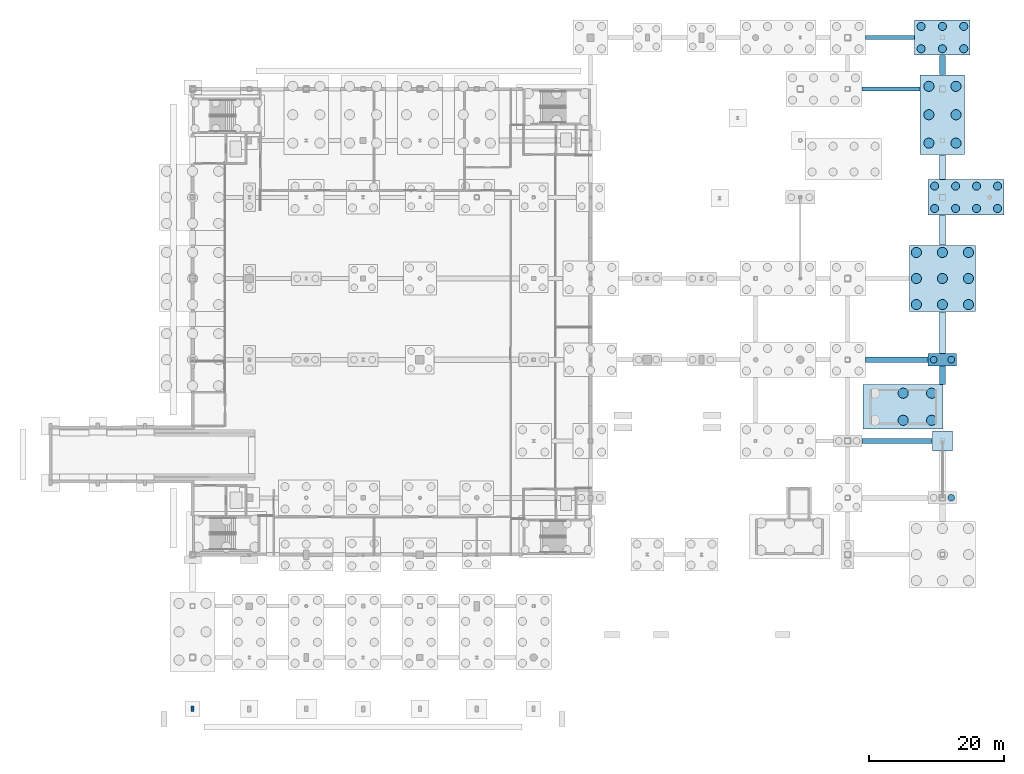
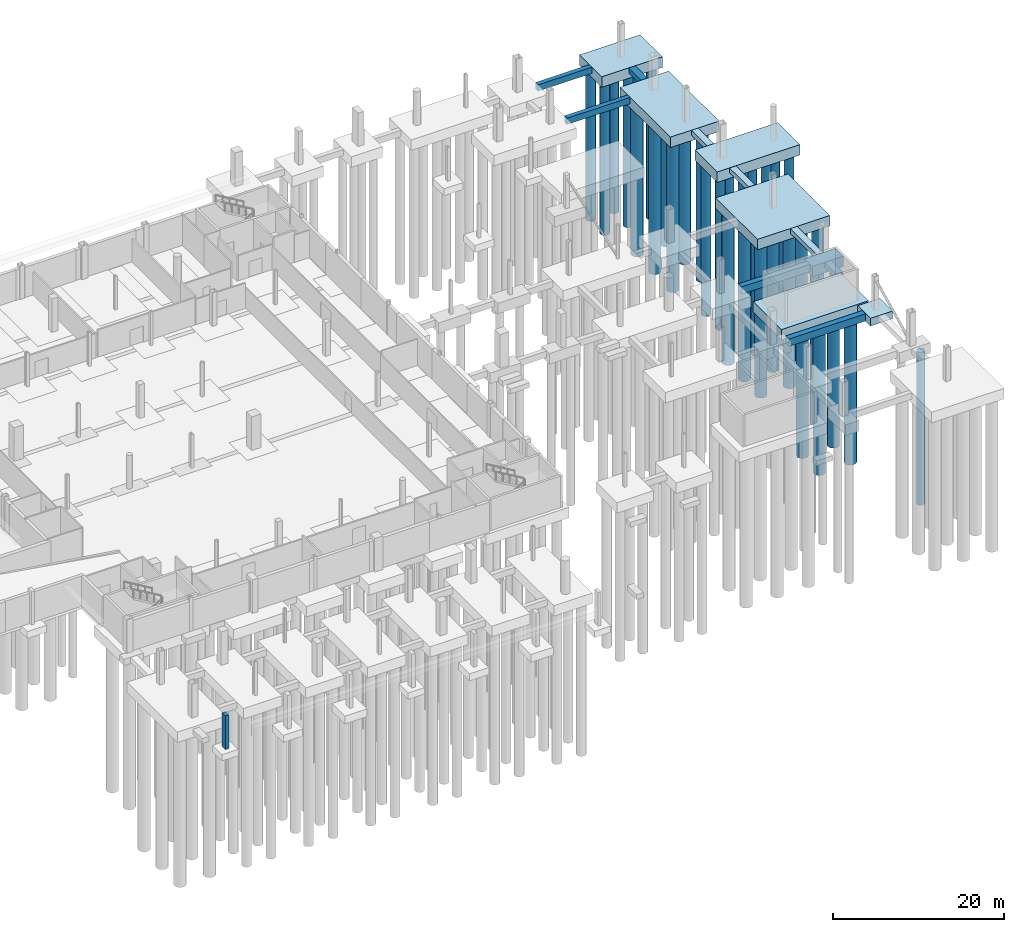
# One storey, part 5 of 34: 36 piles, 16 footings, 1 column.
"""IFC4 building model written with IfcOpenShell, lengths in metres."""

from ifc_helpers import new_model, si_unit, direction, frame, origin, origin_2d, place, context, subcontext, project, spatial, rectangle, circle, extrude, material, material_profile, profile_set, type_object, element, save


model = new_model("IFC4")

# Units and contexts
model_context = context("Model", 3, precision=1e-05, world=origin(), true_north=direction((0.0, 1.0)))
body_context = subcontext(model_context, "Body", "Model", "MODEL_VIEW")
ifc_project = project(units=[si_unit("LENGTHUNIT", "METRE"), si_unit("AREAUNIT", "SQUARE_METRE"), si_unit("VOLUMEUNIT", "CUBIC_METRE"), si_unit("PLANEANGLEUNIT", "RADIAN"), si_unit("MASSUNIT", "GRAM", prefix="KILO")], contexts=[model_context])

# Site, building, storey
site_placement = place(None, origin())
site = spatial("IfcSite", under=ifc_project, at=site_placement, CompositionType="ELEMENT")
building_placement = place(site_placement, origin())
building = spatial("IfcBuilding", under=site, at=building_placement, Name="Larkvane Passage Sports Hall", CompositionType="ELEMENT")
storey_placement = place(building_placement, frame((0.0, 0.0, -4.800048828125)))
storey = spatial("IfcBuildingStorey", under=building, at=storey_placement, Name="B01", CompositionType="ELEMENT", Elevation=-4.800048828125)

# Footings
ifc_material = material(Name="Concrete C40/50", Category="concrete")
footing_type_1 = type_object("IfcFootingType", Name="CAP-2P-320x180", PredefinedType="PILE_CAP", material=ifc_material)
footing_1_placement = place(storey_placement, frame((145.60009765625, 51.60009765625, -1.5), z_axis=(0.0, 0.0, 1.0), x_axis=(1.0, 0.0, 0.0)))
element("IfcFooting", 1, at=footing_1_placement, inside=storey, type_object=footing_type_1, Name="Pile cap FDN5-CAP-19-G", PredefinedType="PILE_CAP", context=body_context, shape_type="SweptSolid", body=[
    extrude(rectangle(XDim=4.199951171875, YDim=1.800048828125, at=origin_2d()), origin(), (0.0, 0.0, 1.0), 1.5),
])
footing_type_2 = type_object("IfcFootingType", Name="CAP-6P-640x440", PredefinedType="PILE_CAP", material=ifc_material)
footing_2_placement = place(storey_placement, frame((145.60009765625, 99.199951171875, -1.5), z_axis=(0.0, 0.0, 1.0), x_axis=(1.0, 0.0, 0.0)))
element("IfcFooting", 2, at=footing_2_placement, inside=storey, type_object=footing_type_2, Name="Pile cap FDN5-CAP-19-M", PredefinedType="PILE_CAP", context=body_context, shape_type="SweptSolid", body=[
    extrude(rectangle(XDim=8.199951171875, YDim=5.199951171875, at=origin_2d()), origin(), (0.0, 0.0, 1.0), 1.5),
])
footing_type_3 = type_object("IfcFootingType", Name="CAP-9P-720x720", PredefinedType="PILE_CAP", material=ifc_material)
footing_3_placement = place(storey_placement, frame((145.60009765625, 63.60009765625, -1.5), z_axis=(0.0, 0.0, 1.0), x_axis=(1.0, 0.0, 0.0)))
element("IfcFooting", 3, at=footing_3_placement, inside=storey, type_object=footing_type_3, Name="Pile cap FDN5-CAP-19-H", PredefinedType="PILE_CAP", context=body_context, shape_type="SweptSolid", body=[
    extrude(rectangle(XDim=9.800048828125, YDim=9.800048828125, at=origin_2d()), origin(), (0.0, 0.0, 1.0), 1.5),
])
footing_type_4 = type_object("IfcFootingType", Name="CAP-COMB-X-1120x520", PredefinedType="PILE_CAP", material=ifc_material)
footing_4_placement = place(storey_placement, frame((149.10009765625, 75.60009765625, -1.5), z_axis=(0.0, 0.0, 1.0), x_axis=(1.0, 0.0, 0.0)))
element("IfcFooting", 4, at=footing_4_placement, inside=storey, type_object=footing_type_4, Name="Pile cap FDN5-CAP-1920-J", PredefinedType="PILE_CAP", context=body_context, shape_type="SweptSolid", body=[
    extrude(rectangle(XDim=11.199951171875, YDim=5.199951171875, at=origin_2d()), origin(), (0.0, 0.0, 1.0), 1.5),
])
footing_type_5 = type_object("IfcFootingType", Name="CAP-COMB-Y-660x1180", PredefinedType="PILE_CAP", material=ifc_material)
footing_5_placement = place(storey_placement, frame((145.60009765625, 87.800048828125, -1.5), z_axis=(0.0, 0.0, 1.0), x_axis=(1.0, 0.0, 0.0)))
element("IfcFooting", 5, at=footing_5_placement, inside=storey, type_object=footing_type_5, Name="Pile cap FDN5-CAP-19-KL", PredefinedType="PILE_CAP", context=body_context, shape_type="SweptSolid", body=[
    extrude(rectangle(XDim=6.60009765625, YDim=11.800048828125, at=origin_2d()), origin(), (0.0, 0.0, 1.0), 1.5),
])
footing_type_6 = type_object("IfcFootingType", Name="CAP-CORE-1160x660", PredefinedType="PILE_CAP", material=ifc_material)
footing_6_placement = place(storey_placement, frame((139.800048828125, 44.64990234375, -1.5), z_axis=(0.0, 0.0, 1.0), x_axis=(1.0, 0.0, 0.0)))
element("IfcFooting", 6, at=footing_6_placement, inside=storey, type_object=footing_type_6, Name="Pile cap FDN5-CORE-C7", PredefinedType="PILE_CAP", context=body_context, shape_type="SweptSolid", body=[
    extrude(rectangle(XDim=11.800048828125, YDim=6.60009765625, at=origin_2d()), origin(), (0.0, 0.0, 1.0), 1.5),
])
footing_type_7 = type_object("IfcFootingType", Name="FBM-600x900", PredefinedType="FOOTING_BEAM", material=ifc_material)
footing_7_placement = place(storey_placement, frame((138.0, 91.60009765625, -0.89990234375), z_axis=(0.0, 0.0, 1.0), x_axis=(1.0, 0.0, 0.0)))
element("IfcFooting", 7, at=footing_7_placement, inside=storey, type_object=footing_type_7, Name="Ground tie beam L-067", PredefinedType="FOOTING_BEAM", context=body_context, shape_type="SweptSolid", body=[
    extrude(rectangle(XDim=8.56005859375, YDim=0.60009765625, at=origin_2d()), origin(), (0.0, 0.0, 1.0), 0.89990234375),
])
footing_8_placement = place(storey_placement, frame((137.85009765625, 99.199951171875, -0.89990234375), z_axis=(0.0, 0.0, 1.0), x_axis=(1.0, 0.0, 0.0)))
element("IfcFooting", 8, at=footing_8_placement, inside=storey, type_object=footing_type_7, Name="Ground tie beam M-072", PredefinedType="FOOTING_BEAM", context=body_context, shape_type="SweptSolid", body=[
    extrude(rectangle(XDim=7.260009765625, YDim=0.60009765625, at=origin_2d()), origin(), (0.0, 0.0, 1.0), 0.89990234375),
])
footing_type_8 = type_object("IfcFootingType", Name="FBM-750x1050", PredefinedType="FOOTING_BEAM", material=ifc_material)
footing_9_placement = place(storey_placement, frame((138.89990234375, 39.60009765625, -1.0498046875), z_axis=(0.0, 0.0, 1.0), x_axis=(1.0, 0.0, 0.0)))
element("IfcFooting", 9, at=footing_9_placement, inside=storey, type_object=footing_type_8, Name="Ground tie beam F-027", PredefinedType="FOOTING_BEAM", context=body_context, shape_type="SweptSolid", body=[
    extrude(rectangle(XDim=10.360107421875, YDim=0.75, at=origin_2d()), origin(), (0.0, 0.0, 1.0), 1.050048828125),
])
footing_10_placement = place(storey_placement, frame((138.85009765625, 51.60009765625, -1.0498046875), z_axis=(0.0, 0.0, 1.0), x_axis=(1.0, 0.0, 0.0)))
element("IfcFooting", 10, at=footing_10_placement, inside=storey, type_object=footing_type_8, Name="Ground tie beam G-038", PredefinedType="FOOTING_BEAM", context=body_context, shape_type="SweptSolid", body=[
    extrude(rectangle(XDim=9.260009765625, YDim=0.75, at=origin_2d()), origin(), (0.0, 0.0, 1.0), 1.050048828125),
])
footing_type_9 = type_object("IfcFootingType", Name="PAD-300x300x110", PredefinedType="PAD_FOOTING", material=ifc_material)
footing_11_placement = place(storey_placement, frame((145.60009765625, 39.60009765625, -1.10009765625), z_axis=(0.0, 0.0, 1.0), x_axis=(1.0, 0.0, 0.0)))
element("IfcFooting", 11, at=footing_11_placement, inside=storey, type_object=footing_type_9, Name="Column pad footing FDN5-CAP-19-F", PredefinedType="PAD_FOOTING", context=body_context, shape_type="SweptSolid", body=[
    extrude(rectangle(XDim=3.0, YDim=3.0, at=origin_2d()), origin(), (0.0, 0.0, 1.0), 1.10009765625),
])

# Piles
ifc_material_profile_1 = material_profile(ifc_material, circle(Radius=0.5, at=origin_2d()), Name="PILE-D1000")
ifc_profile_set_1 = profile_set([ifc_material_profile_1], Name="Concrete C40/50")
pile_type_1 = type_object("IfcPileType", Name="PIL-BORED-D1000", PredefinedType="BORED", material=ifc_profile_set_1)
for number, where, z_axis, x_axis, name in (
    (12, (146.89990234375, 31.199951171875, -1.349853515625), (0.0, 0.0, -1.0), (1.0, 0.0, 0.0), "Bored pile FDN5-CAP-19-E-P02"),
    (13, (144.300048828125, 51.60009765625, -1.349853515625), (0.0, 0.0, -1.0), (1.0, 0.0, 0.0), "Bored pile FDN5-CAP-19-G-P01"),
    (14, (146.89990234375, 51.60009765625, -1.349853515625), (0.0, 0.0, -1.0), (1.0, 0.0, 0.0), "Bored pile FDN5-CAP-19-G-P02"),
):
    element("IfcPile", number, at=place(storey_placement, frame(where, z_axis=z_axis, x_axis=x_axis)), inside=storey, type_object=pile_type_1, Name=name, PredefinedType="BORED", context=body_context, shape_type="SweptSolid", body=[
        extrude(circle(Radius=0.5, at=origin_2d()), origin(), (0.0, 0.0, 1.0), 21.85009765625),
    ])
ifc_material_profile_2 = material_profile(ifc_material, circle(Radius=0.60009765625, at=origin_2d()), Name="PILE-D1200")
ifc_profile_set_2 = profile_set([ifc_material_profile_2], Name="Concrete C40/50")
pile_type_2 = type_object("IfcPileType", Name="PIL-BORED-D1200", PredefinedType="BORED", material=ifc_profile_set_2)
for number, where, z_axis, x_axis, name in (
    (15, (144.449951171875, 73.949951171875, -1.349853515625), (0.0, 0.0, -1.0), (1.0, 0.0, 0.0), "Bored pile FDN5-CAP-1920-J-P01"),
    (16, (144.449951171875, 77.25, -1.349853515625), (0.0, 0.0, -1.0), (1.0, 0.0, 0.0), "Bored pile FDN5-CAP-1920-J-P02"),
    (17, (147.550048828125, 73.949951171875, -1.349853515625), (0.0, 0.0, -1.0), (1.0, 0.0, 0.0), "Bored pile FDN5-CAP-1920-J-P03"),
    (18, (147.550048828125, 77.25, -1.349853515625), (0.0, 0.0, -1.0), (1.0, 0.0, 0.0), "Bored pile FDN5-CAP-1920-J-P04"),
    (19, (150.64990234375, 73.949951171875, -1.349853515625), (0.0, 0.0, -1.0), (1.0, 0.0, 0.0), "Bored pile FDN5-CAP-1920-J-P05"),
    (20, (150.64990234375, 77.25, -1.349853515625), (0.0, 0.0, -1.0), (1.0, 0.0, 0.0), "Bored pile FDN5-CAP-1920-J-P06"),
    (21, (153.75, 73.949951171875, -1.349853515625), (0.0, 0.0, -1.0), (1.0, 0.0, 0.0), "Bored pile FDN5-CAP-1920-J-P07"),
    (22, (153.75, 77.25, -1.349853515625), (0.0, 0.0, -1.0), (1.0, 0.0, 0.0), "Bored pile FDN5-CAP-1920-J-P08"),
    (23, (142.449951171875, 97.550048828125, -1.349853515625), (0.0, 0.0, -1.0), (1.0, 0.0, 0.0), "Bored pile FDN5-CAP-19-M-P01"),
    (24, (145.60009765625, 97.550048828125, -1.349853515625), (0.0, 0.0, -1.0), (1.0, 0.0, 0.0), "Bored pile FDN5-CAP-19-M-P02"),
    (25, (148.75, 97.550048828125, -1.349853515625), (0.0, 0.0, -1.0), (1.0, 0.0, 0.0), "Bored pile FDN5-CAP-19-M-P03"),
    (26, (142.449951171875, 100.85009765625, -1.349853515625), (0.0, 0.0, -1.0), (1.0, 0.0, 0.0), "Bored pile FDN5-CAP-19-M-P04"),
    (27, (145.60009765625, 100.85009765625, -1.349853515625), (0.0, 0.0, -1.0), (1.0, 0.0, 0.0), "Bored pile FDN5-CAP-19-M-P05"),
    (28, (148.75, 100.85009765625, -1.349853515625), (0.0, 0.0, -1.0), (1.0, 0.0, 0.0), "Bored pile FDN5-CAP-19-M-P06"),
):
    element("IfcPile", number, at=place(storey_placement, frame(where, z_axis=z_axis, x_axis=x_axis)), inside=storey, type_object=pile_type_2, Name=name, PredefinedType="BORED", context=body_context, shape_type="SweptSolid", body=[
        extrude(circle(Radius=0.60009765625, at=origin_2d()), origin(), (0.0, 0.0, 1.0), 21.85009765625),
    ])
ifc_material_profile_3 = material_profile(ifc_material, circle(Radius=0.75, at=origin_2d()), Name="PILE-D1500")
ifc_profile_set_3 = profile_set([ifc_material_profile_3], Name="Concrete C40/50")
pile_type_3 = type_object("IfcPileType", Name="PIL-BORED-D1500", PredefinedType="BORED", material=ifc_profile_set_3)
for number, where, z_axis, x_axis, name in (
    (29, (139.800048828125, 42.64990234375, -1.349853515625), (0.0, 0.0, -1.0), (1.0, 0.0, 0.0), "Bored pile FDN5-CORE-C7-P03"),
    (30, (139.800048828125, 46.64990234375, -1.349853515625), (0.0, 0.0, -1.0), (1.0, 0.0, 0.0), "Bored pile FDN5-CORE-C7-P04"),
    (31, (144.0, 42.64990234375, -1.349853515625), (0.0, 0.0, -1.0), (1.0, 0.0, 0.0), "Bored pile FDN5-CORE-C7-P05"),
    (32, (144.0, 46.64990234375, -1.349853515625), (0.0, 0.0, -1.0), (1.0, 0.0, 0.0), "Bored pile FDN5-CORE-C7-P06"),
    (33, (143.60009765625, 83.60009765625, -1.349853515625), (0.0, 0.0, -1.0), (1.0, 0.0, 0.0), "Bored pile FDN5-CAP-19-KL-P01"),
    (34, (143.60009765625, 87.800048828125, -1.349853515625), (0.0, 0.0, -1.0), (1.0, 0.0, 0.0), "Bored pile FDN5-CAP-19-KL-P02"),
    (35, (143.60009765625, 92.0, -1.349853515625), (0.0, 0.0, -1.0), (1.0, 0.0, 0.0), "Bored pile FDN5-CAP-19-KL-P03"),
    (36, (147.60009765625, 83.60009765625, -1.349853515625), (0.0, 0.0, -1.0), (1.0, 0.0, 0.0), "Bored pile FDN5-CAP-19-KL-P04"),
    (37, (147.60009765625, 87.800048828125, -1.349853515625), (0.0, 0.0, -1.0), (1.0, 0.0, 0.0), "Bored pile FDN5-CAP-19-KL-P05"),
    (38, (147.60009765625, 92.0, -1.349853515625), (0.0, 0.0, -1.0), (1.0, 0.0, 0.0), "Bored pile FDN5-CAP-19-KL-P06"),
    (39, (141.75, 59.75, -1.349853515625), (0.0, 0.0, -1.0), (1.0, 0.0, 0.0), "Bored pile FDN5-CAP-19-H-P01"),
    (40, (141.75, 63.60009765625, -1.349853515625), (0.0, 0.0, -1.0), (1.0, 0.0, 0.0), "Bored pile FDN5-CAP-19-H-P02"),
    (41, (141.75, 67.449951171875, -1.349853515625), (0.0, 0.0, -1.0), (1.0, 0.0, 0.0), "Bored pile FDN5-CAP-19-H-P03"),
    (42, (145.60009765625, 59.75, -1.349853515625), (0.0, 0.0, -1.0), (1.0, 0.0, 0.0), "Bored pile FDN5-CAP-19-H-P04"),
    (43, (145.60009765625, 63.60009765625, -1.349853515625), (0.0, 0.0, -1.0), (1.0, 0.0, 0.0), "Bored pile FDN5-CAP-19-H-P05"),
    (44, (145.60009765625, 67.449951171875, -1.349853515625), (0.0, 0.0, -1.0), (1.0, 0.0, 0.0), "Bored pile FDN5-CAP-19-H-P06"),
    (45, (149.449951171875, 59.75, -1.349853515625), (0.0, 0.0, -1.0), (1.0, 0.0, 0.0), "Bored pile FDN5-CAP-19-H-P07"),
    (46, (149.449951171875, 63.60009765625, -1.349853515625), (0.0, 0.0, -1.0), (1.0, 0.0, 0.0), "Bored pile FDN5-CAP-19-H-P08"),
    (47, (149.449951171875, 67.449951171875, -1.349853515625), (0.0, 0.0, -1.0), (1.0, 0.0, 0.0), "Bored pile FDN5-CAP-19-H-P09"),
):
    element("IfcPile", number, at=place(storey_placement, frame(where, z_axis=z_axis, x_axis=x_axis)), inside=storey, type_object=pile_type_3, Name=name, PredefinedType="BORED", context=body_context, shape_type="SweptSolid", body=[
        extrude(circle(Radius=0.75, at=origin_2d()), origin(), (0.0, 0.0, 1.0), 21.85009765625),
    ])

# Footings
footing_type_10 = type_object("IfcFootingType", Name="SFT-900x700", PredefinedType="STRIP_FOOTING", material=ifc_material)
footing_12_placement = place(storey_placement, frame((145.60009765625, 49.324951171875, -0.69970703125), z_axis=(0.0, 0.0, 1.0), x_axis=(1.0, 0.0, 0.0)))
element("IfcFooting", 48, at=footing_12_placement, inside=storey, type_object=footing_type_10, Name="Foundation tie footing 19-092", PredefinedType="STRIP_FOOTING", context=body_context, shape_type="SweptSolid", body=[
    extrude(rectangle(XDim=0.89990234375, YDim=2.7099609375, at=origin_2d()), origin(), (0.0, 0.0, 1.0), 0.699951171875),
])
footing_13_placement = place(storey_placement, frame((145.60009765625, 55.60009765625, -0.69970703125), z_axis=(0.0, 0.0, 1.0), x_axis=(1.0, 0.0, 0.0)))
element("IfcFooting", 49, at=footing_13_placement, inside=storey, type_object=footing_type_10, Name="Foundation tie footing 19-093", PredefinedType="STRIP_FOOTING", context=body_context, shape_type="SweptSolid", body=[
    extrude(rectangle(XDim=0.89990234375, YDim=6.159912109375, at=origin_2d()), origin(), (0.0, 0.0, 1.0), 0.699951171875),
])
footing_14_placement = place(storey_placement, frame((145.60009765625, 70.75, -0.69970703125), z_axis=(0.0, 0.0, 1.0), x_axis=(1.0, 0.0, 0.0)))
element("IfcFooting", 50, at=footing_14_placement, inside=storey, type_object=footing_type_10, Name="Foundation tie footing 19-094", PredefinedType="STRIP_FOOTING", context=body_context, shape_type="SweptSolid", body=[
    extrude(rectangle(XDim=0.89990234375, YDim=4.4599609375, at=origin_2d()), origin(), (0.0, 0.0, 1.0), 0.699951171875),
])
footing_15_placement = place(storey_placement, frame((145.60009765625, 80.050048828125, -0.69970703125), z_axis=(0.0, 0.0, 1.0), x_axis=(1.0, 0.0, 0.0)))
element("IfcFooting", 51, at=footing_15_placement, inside=storey, type_object=footing_type_10, Name="Foundation tie footing 19-095", PredefinedType="STRIP_FOOTING", context=body_context, shape_type="SweptSolid", body=[
    extrude(rectangle(XDim=0.89990234375, YDim=3.659912109375, at=origin_2d()), origin(), (0.0, 0.0, 1.0), 0.699951171875),
])
footing_16_placement = place(storey_placement, frame((145.60009765625, 95.14990234375, -0.69970703125), z_axis=(0.0, 0.0, 1.0), x_axis=(1.0, 0.0, 0.0)))
element("IfcFooting", 52, at=footing_16_placement, inside=storey, type_object=footing_type_10, Name="Foundation tie footing 19-096", PredefinedType="STRIP_FOOTING", context=body_context, shape_type="SweptSolid", body=[
    extrude(rectangle(XDim=0.89990234375, YDim=2.860107421875, at=origin_2d()), origin(), (0.0, 0.0, 1.0), 0.699951171875),
])

# Column
ifc_material_profile_4 = material_profile(ifc_material, rectangle(XDim=0.449951171875, YDim=0.800048828125, at=origin_2d()), Name="RC-PIL-450x800")
ifc_profile_set_4 = profile_set([ifc_material_profile_4], Name="Concrete C40/50")
column_type = type_object("IfcColumnType", Name="PIL-RC-450x800", PredefinedType="PILASTER", material=ifc_profile_set_4)
column_placement = place(storey_placement, frame((34.800048828125, 0.0, 0.0), z_axis=(0.0, 0.0, 1.0), x_axis=(1.0, 0.0, 0.0)))
element("IfcColumn", 53, at=column_placement, inside=storey, type_object=column_type, Name="Arcade pilaster 6/A B01", PredefinedType="PILASTER", context=body_context, shape_type="SweptSolid", body=[
    extrude(rectangle(XDim=0.449951171875, YDim=0.800048828125, at=origin_2d()), origin(), (0.0, 0.0, 1.0), 4.800048828125),
])

save(model, "model.ifc")
